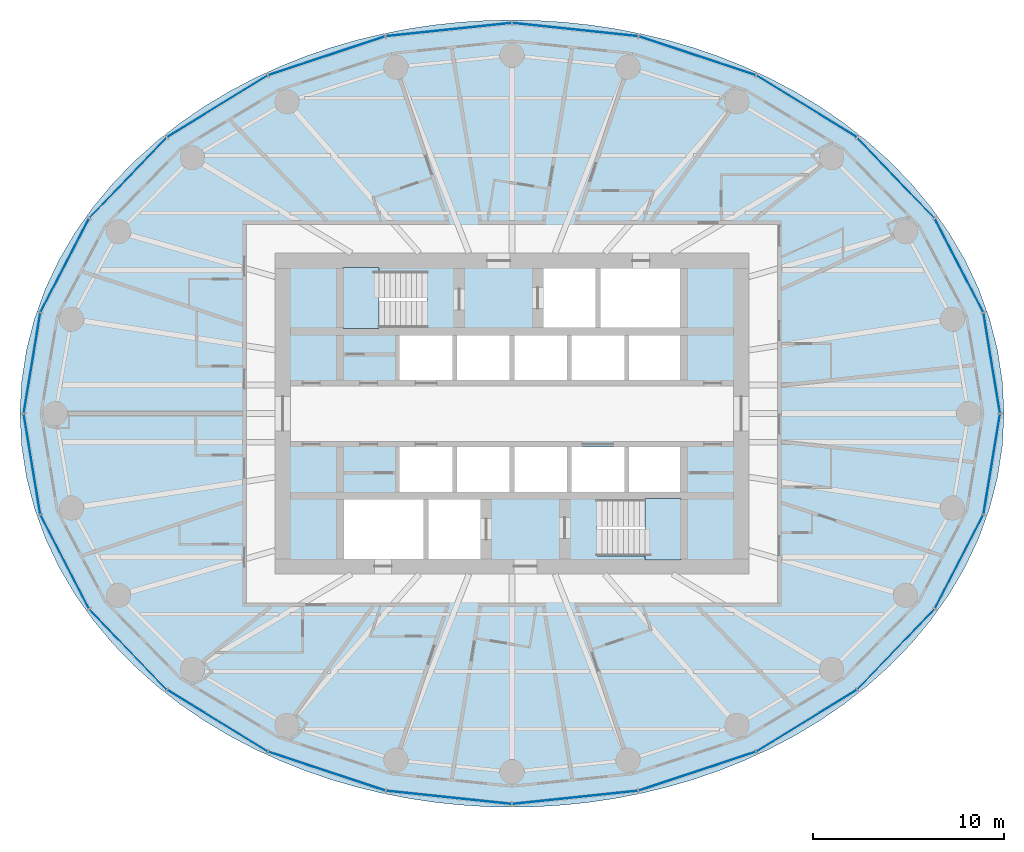
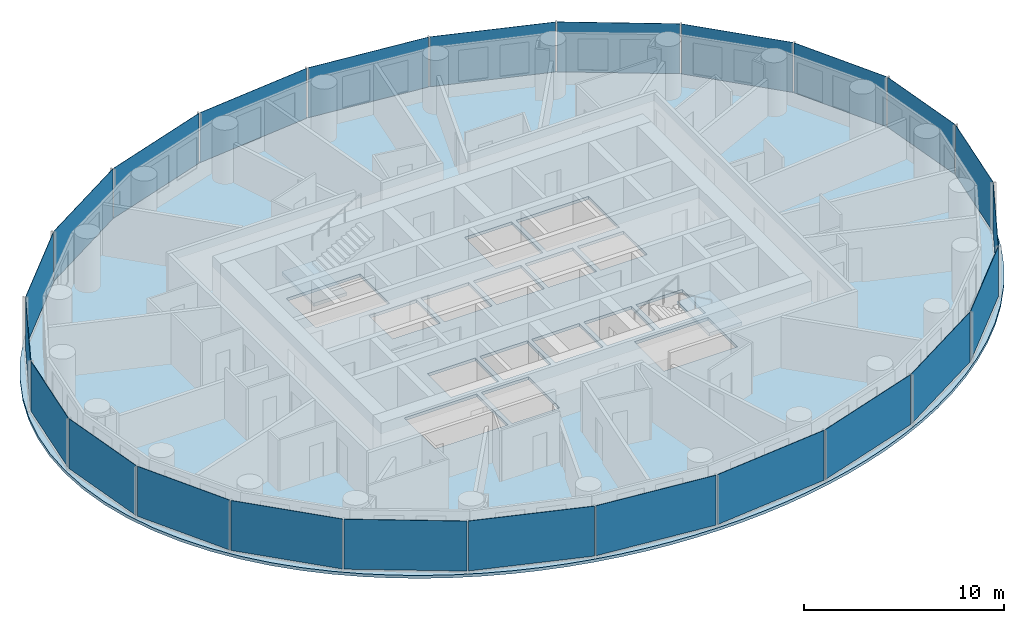
# One storey, part 5 of 13: 24 plates, 3 slabs, 6 elements without a shape of their own.
"""IFC4 building model written with IfcOpenShell, lengths in metres."""

from ifc_helpers import new_model, si_unit, direction, frame, origin, origin_2d, place, context, subcontext, project, spatial, polyline, rectangle, outline, extrude, material, layer, layer_set, type_object, element, aggregate, save


model = new_model("IFC4")

# Units and contexts
model_context = context("Model", 3, precision=1e-05, world=origin(), true_north=direction((0.0, 1.0)))
body_context = subcontext(model_context, "Body", "Model", "MODEL_VIEW")
ifc_project = project(units=[si_unit("LENGTHUNIT", "METRE"), si_unit("AREAUNIT", "SQUARE_METRE"), si_unit("VOLUMEUNIT", "CUBIC_METRE"), si_unit("PLANEANGLEUNIT", "RADIAN"), si_unit("MASSUNIT", "GRAM", prefix="KILO")], contexts=[model_context])

# Site, building, storey
site_placement = place(None, origin())
site = spatial("IfcSite", under=ifc_project, at=site_placement, CompositionType="ELEMENT")
building_placement = place(site_placement, origin())
building = spatial("IfcBuilding", under=site, at=building_placement, Name="Hankou Lantern Tower", CompositionType="ELEMENT")
storey_placement = place(building_placement, frame((0.0, 0.0, 125.39990234375)))
storey = spatial("IfcBuildingStorey", under=building, at=storey_placement, Name="L32", CompositionType="ELEMENT", Elevation=125.39990234375)

# Curtain wall, plates
ifc_material_1 = material(Name="Glass, dark grey tinted laminated", Category="glass")
curtain_wall_type = type_object("IfcCurtainWallType", Name="CWB OUTER SKIN MID-RISE", PredefinedType="USERDEFINED", material=ifc_material_1)
curtain_wall_1_placement = place(storey_placement, origin())
curtain_wall_1 = element("IfcCurtainWall", 1, at=curtain_wall_1_placement, inside=storey, type_object=curtain_wall_type, Name="CWB L32 OS1", ObjectType="OUTER SKIN MID-RISE", PredefinedType="USERDEFINED")
ifc_material_2 = material(Name="Glass, dark grey tinted laminated", Category="glass")
ifc_layer_1 = layer(ifc_material_2, 0.02392578125)
ifc_layer_set_1 = layer_set([ifc_layer_1], Name="Glass, dark grey tinted laminated")
plate_type = type_object("IfcPlateType", Name="PN1 OUTER SKIN GLASS PANEL", PredefinedType="CURTAIN_PANEL", material=ifc_layer_set_1)
plate_1_placement = place(storey_placement, frame((25.11474609375, 2.64501953125, 0.080078125), z_axis=(0.0, 0.0, 1.0), x_axis=(-0.162381515188, 0.986728049427, 0.0)))
plate_1 = element("IfcPlate", 2, at=plate_1_placement, type_object=plate_type, Name="CWB glass panel 1", PredefinedType="CURTAIN_PANEL", context=body_context, shape_type="SweptSolid", body=[
    extrude(rectangle(XDim=5.281494140625, YDim=0.02392578125, at=origin_2d()), origin(), (0.0, 0.0, 1.0), 3.0400390625),
])
plate_2_placement = place(storey_placement, frame((23.403076171875, 7.755126953125, 0.080078125), z_axis=(0.0, 0.0, 1.0), x_axis=(-0.459791091957, 0.888027112062, 0.0)))
plate_2 = element("IfcPlate", 3, at=plate_2_placement, type_object=plate_type, Name="CWB glass panel 2", PredefinedType="CURTAIN_PANEL", context=body_context, shape_type="SweptSolid", body=[
    extrude(rectangle(XDim=5.471435546875, YDim=0.02392578125, at=origin_2d()), origin(), (0.0, 0.0, 1.0), 3.0400390625),
])
plate_3_placement = place(storey_placement, frame((20.0966796875, 12.336669921875, 0.080078125), z_axis=(0.0, 0.0, 1.0), x_axis=(-0.692215809936, 0.721690565599, 0.0)))
plate_3 = element("IfcPlate", 4, at=plate_3_placement, type_object=plate_type, Name="CWB glass panel 3", PredefinedType="CURTAIN_PANEL", context=body_context, shape_type="SweptSolid", body=[
    extrude(rectangle(XDim=5.78564453125, YDim=0.02392578125, at=origin_2d()), origin(), (0.0, 0.0, 1.0), 3.0400390625),
])
plate_4_placement = place(storey_placement, frame((15.4208984375, 16.077392578125, 0.080078125), z_axis=(0.0, 0.0, 1.0), x_axis=(-0.852237151549, 0.523155653242, 0.0)))
plate_4 = element("IfcPlate", 5, at=plate_4_placement, type_object=plate_type, Name="CWB glass panel 4", PredefinedType="CURTAIN_PANEL", context=body_context, shape_type="SweptSolid", body=[
    extrude(rectangle(XDim=6.129150390625, YDim=0.02392578125, at=origin_2d()), origin(), (0.0, 0.0, 1.0), 3.0400390625),
])
plate_5_placement = place(storey_placement, frame((9.69384765625, 18.72265625, 0.080078125), z_axis=(0.0, 0.0, 1.0), x_axis=(-0.949240677293, 0.31455068999, 0.0)))
plate_5 = element("IfcPlate", 6, at=plate_5_placement, type_object=plate_type, Name="CWB glass panel 5", PredefinedType="CURTAIN_PANEL", context=body_context, shape_type="SweptSolid", body=[
    extrude(rectangle(XDim=6.41162109375, YDim=0.02392578125, at=origin_2d()), origin(), (0.0, 0.0, 1.0), 3.0400390625),
])
plate_6_placement = place(storey_placement, frame((3.306396484375, 20.091796875, 0.080078125), z_axis=(0.0, 0.0, 1.0), x_axis=(-0.994499359107, 0.104742659579, 0.0)))
plate_6 = element("IfcPlate", 7, at=plate_6_placement, type_object=plate_type, Name="CWB glass panel 6", PredefinedType="CURTAIN_PANEL", context=body_context, shape_type="SweptSolid", body=[
    extrude(rectangle(XDim=6.5693359375, YDim=0.02392578125, at=origin_2d()), origin(), (0.0, 0.0, 1.0), 3.0400390625),
])
aggregate(curtain_wall_1, [plate_1, plate_2, plate_3, plate_4, plate_5, plate_6])

curtain_wall_2_placement = place(storey_placement, origin())
curtain_wall_2 = element("IfcCurtainWall", 8, at=curtain_wall_2_placement, inside=storey, type_object=curtain_wall_type, Name="CWB L32 OS2", ObjectType="OUTER SKIN MID-RISE", PredefinedType="USERDEFINED")
plate_7_placement = place(storey_placement, frame((-3.306396484375, 20.091796875, 0.080078125), z_axis=(0.0, 0.0, 1.0), x_axis=(-0.994499359107, -0.104742659579, 0.0)))
plate_7 = element("IfcPlate", 9, at=plate_7_placement, type_object=plate_type, Name="CWB glass panel 1", PredefinedType="CURTAIN_PANEL", context=body_context, shape_type="SweptSolid", body=[
    extrude(rectangle(XDim=6.5693359375, YDim=0.02392578125, at=origin_2d()), origin(), (0.0, 0.0, 1.0), 3.0400390625),
])
plate_8_placement = place(storey_placement, frame((-9.69384765625, 18.72265625, 0.080078125), z_axis=(0.0, 0.0, 1.0), x_axis=(-0.949240677293, -0.31455068999, 0.0)))
plate_8 = element("IfcPlate", 10, at=plate_8_placement, type_object=plate_type, Name="CWB glass panel 2", PredefinedType="CURTAIN_PANEL", context=body_context, shape_type="SweptSolid", body=[
    extrude(rectangle(XDim=6.41162109375, YDim=0.02392578125, at=origin_2d()), origin(), (0.0, 0.0, 1.0), 3.0400390625),
])
plate_9_placement = place(storey_placement, frame((-15.4208984375, 16.077392578125, 0.080078125), z_axis=(0.0, 0.0, 1.0), x_axis=(-0.852237151549, -0.523155653242, 0.0)))
plate_9 = element("IfcPlate", 11, at=plate_9_placement, type_object=plate_type, Name="CWB glass panel 3", PredefinedType="CURTAIN_PANEL", context=body_context, shape_type="SweptSolid", body=[
    extrude(rectangle(XDim=6.129150390625, YDim=0.02392578125, at=origin_2d()), origin(), (0.0, 0.0, 1.0), 3.0400390625),
])
plate_10_placement = place(storey_placement, frame((-20.0966796875, 12.336669921875, 0.080078125), z_axis=(0.0, 0.0, 1.0), x_axis=(-0.692215809936, -0.721690565599, 0.0)))
plate_10 = element("IfcPlate", 12, at=plate_10_placement, type_object=plate_type, Name="CWB glass panel 4", PredefinedType="CURTAIN_PANEL", context=body_context, shape_type="SweptSolid", body=[
    extrude(rectangle(XDim=5.78564453125, YDim=0.02392578125, at=origin_2d()), origin(), (0.0, 0.0, 1.0), 3.0400390625),
])
plate_11_placement = place(storey_placement, frame((-23.403076171875, 7.755126953125, 0.080078125), z_axis=(0.0, 0.0, 1.0), x_axis=(-0.459791091957, -0.888027112062, 0.0)))
plate_11 = element("IfcPlate", 13, at=plate_11_placement, type_object=plate_type, Name="CWB glass panel 5", PredefinedType="CURTAIN_PANEL", context=body_context, shape_type="SweptSolid", body=[
    extrude(rectangle(XDim=5.471435546875, YDim=0.02392578125, at=origin_2d()), origin(), (0.0, 0.0, 1.0), 3.0400390625),
])
plate_12_placement = place(storey_placement, frame((-25.11474609375, 2.64501953125, 0.080078125), z_axis=(0.0, 0.0, 1.0), x_axis=(-0.162381515188, -0.986728049427, 0.0)))
plate_12 = element("IfcPlate", 14, at=plate_12_placement, type_object=plate_type, Name="CWB glass panel 6", PredefinedType="CURTAIN_PANEL", context=body_context, shape_type="SweptSolid", body=[
    extrude(rectangle(XDim=5.281494140625, YDim=0.02392578125, at=origin_2d()), origin(), (0.0, 0.0, 1.0), 3.0400390625),
])
aggregate(curtain_wall_2, [plate_7, plate_8, plate_9, plate_10, plate_11, plate_12])

curtain_wall_3_placement = place(storey_placement, origin())
curtain_wall_3 = element("IfcCurtainWall", 15, at=curtain_wall_3_placement, inside=storey, type_object=curtain_wall_type, Name="CWB L32 OS3", ObjectType="OUTER SKIN MID-RISE", PredefinedType="USERDEFINED")
plate_13_placement = place(storey_placement, frame((-25.11474609375, -2.64501953125, 0.080078125), z_axis=(0.0, 0.0, 1.0), x_axis=(0.162381515188, -0.986728049427, 0.0)))
plate_13 = element("IfcPlate", 16, at=plate_13_placement, type_object=plate_type, Name="CWB glass panel 1", PredefinedType="CURTAIN_PANEL", context=body_context, shape_type="SweptSolid", body=[
    extrude(rectangle(XDim=5.281494140625, YDim=0.02392578125, at=origin_2d()), origin(), (0.0, 0.0, 1.0), 3.0400390625),
])
plate_14_placement = place(storey_placement, frame((-23.403076171875, -7.755126953125, 0.080078125), z_axis=(0.0, 0.0, 1.0), x_axis=(0.459791091957, -0.888027112062, 0.0)))
plate_14 = element("IfcPlate", 17, at=plate_14_placement, type_object=plate_type, Name="CWB glass panel 2", PredefinedType="CURTAIN_PANEL", context=body_context, shape_type="SweptSolid", body=[
    extrude(rectangle(XDim=5.471435546875, YDim=0.02392578125, at=origin_2d()), origin(), (0.0, 0.0, 1.0), 3.0400390625),
])
plate_15_placement = place(storey_placement, frame((-20.0966796875, -12.336669921875, 0.080078125), z_axis=(0.0, 0.0, 1.0), x_axis=(0.692215809936, -0.721690565599, 0.0)))
plate_15 = element("IfcPlate", 18, at=plate_15_placement, type_object=plate_type, Name="CWB glass panel 3", PredefinedType="CURTAIN_PANEL", context=body_context, shape_type="SweptSolid", body=[
    extrude(rectangle(XDim=5.78564453125, YDim=0.02392578125, at=origin_2d()), origin(), (0.0, 0.0, 1.0), 3.0400390625),
])
plate_16_placement = place(storey_placement, frame((-15.4208984375, -16.077392578125, 0.080078125), z_axis=(0.0, 0.0, 1.0), x_axis=(0.852237151549, -0.523155653242, 0.0)))
plate_16 = element("IfcPlate", 19, at=plate_16_placement, type_object=plate_type, Name="CWB glass panel 4", PredefinedType="CURTAIN_PANEL", context=body_context, shape_type="SweptSolid", body=[
    extrude(rectangle(XDim=6.129150390625, YDim=0.02392578125, at=origin_2d()), origin(), (0.0, 0.0, 1.0), 3.0400390625),
])
plate_17_placement = place(storey_placement, frame((-9.69384765625, -18.72265625, 0.080078125), z_axis=(0.0, 0.0, 1.0), x_axis=(0.949240677293, -0.31455068999, 0.0)))
plate_17 = element("IfcPlate", 20, at=plate_17_placement, type_object=plate_type, Name="CWB glass panel 5", PredefinedType="CURTAIN_PANEL", context=body_context, shape_type="SweptSolid", body=[
    extrude(rectangle(XDim=6.41162109375, YDim=0.02392578125, at=origin_2d()), origin(), (0.0, 0.0, 1.0), 3.0400390625),
])
plate_18_placement = place(storey_placement, frame((-3.306396484375, -20.091796875, 0.080078125), z_axis=(0.0, 0.0, 1.0), x_axis=(0.994499359107, -0.104742659579, 0.0)))
plate_18 = element("IfcPlate", 21, at=plate_18_placement, type_object=plate_type, Name="CWB glass panel 6", PredefinedType="CURTAIN_PANEL", context=body_context, shape_type="SweptSolid", body=[
    extrude(rectangle(XDim=6.5693359375, YDim=0.02392578125, at=origin_2d()), origin(), (0.0, 0.0, 1.0), 3.0400390625),
])
aggregate(curtain_wall_3, [plate_13, plate_14, plate_15, plate_16, plate_17, plate_18])

curtain_wall_4_placement = place(storey_placement, origin())
curtain_wall_4 = element("IfcCurtainWall", 22, at=curtain_wall_4_placement, inside=storey, type_object=curtain_wall_type, Name="CWB L32 OS4", ObjectType="OUTER SKIN MID-RISE", PredefinedType="USERDEFINED")
plate_19_placement = place(storey_placement, frame((3.306396484375, -20.091796875, 0.080078125), z_axis=(0.0, 0.0, 1.0), x_axis=(0.994499359107, 0.104742659579, 0.0)))
plate_19 = element("IfcPlate", 23, at=plate_19_placement, type_object=plate_type, Name="CWB glass panel 1", PredefinedType="CURTAIN_PANEL", context=body_context, shape_type="SweptSolid", body=[
    extrude(rectangle(XDim=6.5693359375, YDim=0.02392578125, at=origin_2d()), origin(), (0.0, 0.0, 1.0), 3.0400390625),
])
plate_20_placement = place(storey_placement, frame((9.69384765625, -18.72265625, 0.080078125), z_axis=(0.0, 0.0, 1.0), x_axis=(0.949240677293, 0.31455068999, 0.0)))
plate_20 = element("IfcPlate", 24, at=plate_20_placement, type_object=plate_type, Name="CWB glass panel 2", PredefinedType="CURTAIN_PANEL", context=body_context, shape_type="SweptSolid", body=[
    extrude(rectangle(XDim=6.41162109375, YDim=0.02392578125, at=origin_2d()), origin(), (0.0, 0.0, 1.0), 3.0400390625),
])
plate_21_placement = place(storey_placement, frame((15.4208984375, -16.077392578125, 0.080078125), z_axis=(0.0, 0.0, 1.0), x_axis=(0.852237151549, 0.523155653242, 0.0)))
plate_21 = element("IfcPlate", 25, at=plate_21_placement, type_object=plate_type, Name="CWB glass panel 3", PredefinedType="CURTAIN_PANEL", context=body_context, shape_type="SweptSolid", body=[
    extrude(rectangle(XDim=6.129150390625, YDim=0.02392578125, at=origin_2d()), origin(), (0.0, 0.0, 1.0), 3.0400390625),
])
plate_22_placement = place(storey_placement, frame((20.0966796875, -12.336669921875, 0.080078125), z_axis=(0.0, 0.0, 1.0), x_axis=(0.692215809936, 0.721690565599, 0.0)))
plate_22 = element("IfcPlate", 26, at=plate_22_placement, type_object=plate_type, Name="CWB glass panel 4", PredefinedType="CURTAIN_PANEL", context=body_context, shape_type="SweptSolid", body=[
    extrude(rectangle(XDim=5.78564453125, YDim=0.02392578125, at=origin_2d()), origin(), (0.0, 0.0, 1.0), 3.0400390625),
])
plate_23_placement = place(storey_placement, frame((23.403076171875, -7.755126953125, 0.080078125), z_axis=(0.0, 0.0, 1.0), x_axis=(0.459791091957, 0.888027112062, 0.0)))
plate_23 = element("IfcPlate", 27, at=plate_23_placement, type_object=plate_type, Name="CWB glass panel 5", PredefinedType="CURTAIN_PANEL", context=body_context, shape_type="SweptSolid", body=[
    extrude(rectangle(XDim=5.471435546875, YDim=0.02392578125, at=origin_2d()), origin(), (0.0, 0.0, 1.0), 3.0400390625),
])
plate_24_placement = place(storey_placement, frame((25.11474609375, -2.64501953125, 0.080078125), z_axis=(0.0, 0.0, 1.0), x_axis=(0.162381515188, 0.986728049427, 0.0)))
plate_24 = element("IfcPlate", 28, at=plate_24_placement, type_object=plate_type, Name="CWB glass panel 6", PredefinedType="CURTAIN_PANEL", context=body_context, shape_type="SweptSolid", body=[
    extrude(rectangle(XDim=5.281494140625, YDim=0.02392578125, at=origin_2d()), origin(), (0.0, 0.0, 1.0), 3.0400390625),
])
aggregate(curtain_wall_4, [plate_19, plate_20, plate_21, plate_22, plate_23, plate_24])

# Slab
ifc_material_3 = material(Name="Concrete C50", Category="concrete")
ifc_layer_2 = layer(ifc_material_3, 0.179931640625)
ifc_layer_set_2 = layer_set([ifc_layer_2], Name="Concrete C50")
slab_type_1 = type_object("IfcSlabType", Name="S1 CONCRETE FLOOR SLAB 180", PredefinedType="FLOOR", material=ifc_layer_set_2)
slab_1_placement = place(storey_placement, frame((0.0, 0.0, -0.179931640625)))
element("IfcSlab", 29, at=slab_1_placement, inside=storey, type_object=slab_type_1, Name="Floor slab L32", PredefinedType="FLOOR", context=body_context, shape_type="SweptSolid", body=[
    extrude(outline(polyline([(25.75, 0.0), (25.6640625, 1.68212890625), (25.408203125, 3.344970703125), (24.9892578125, 4.970703125), (24.416748046875, 6.54248046875), (23.704345703125, 8.046630859375), (22.86669921875, 9.4716796875), (21.919921875, 10.809814453125), (20.88037109375, 12.05517578125), (19.763427734375, 13.205322265625), (18.58349609375, 14.259765625), (17.35400390625, 15.218994140625), (16.0859375, 16.0859375), (14.7890625, 16.863525390625), (13.47119140625, 17.55615234375), (12.138916015625, 18.167236328125), (10.79736328125, 18.701416015625), (9.449951171875, 19.16259765625), (8.099609375, 19.554443359375), (6.748291015625, 19.8798828125), (5.397216796875, 20.142333984375), (4.046630859375, 20.343994140625), (2.697021484375, 20.486572265625), (1.348388671875, 20.57177734375), (0.0, 20.60009765625), (-1.348388671875, 20.57177734375), (-2.697021484375, 20.486572265625), (-4.046630859375, 20.343994140625), (-5.397216796875, 20.142333984375), (-6.748291015625, 19.8798828125), (-8.099609375, 19.554443359375), (-9.449951171875, 19.16259765625), (-10.79736328125, 18.701416015625), (-12.138916015625, 18.167236328125), (-13.47119140625, 17.55615234375), (-14.7890625, 16.863525390625), (-16.0859375, 16.0859375), (-17.35400390625, 15.218994140625), (-18.58349609375, 14.259765625), (-19.763427734375, 13.205322265625), (-20.88037109375, 12.05517578125), (-21.919921875, 10.809814453125), (-22.86669921875, 9.4716796875), (-23.704345703125, 8.046630859375), (-24.416748046875, 6.54248046875), (-24.9892578125, 4.970703125), (-25.408203125, 3.344970703125), (-25.6640625, 1.68212890625), (-25.75, 0.0), (-25.6640625, -1.68212890625), (-25.408203125, -3.344970703125), (-24.9892578125, -4.970703125), (-24.416748046875, -6.54248046875), (-23.704345703125, -8.046630859375), (-22.86669921875, -9.4716796875), (-21.919921875, -10.809814453125), (-20.88037109375, -12.05517578125), (-19.763427734375, -13.205322265625), (-18.58349609375, -14.259765625), (-17.35400390625, -15.218994140625), (-16.0859375, -16.0859375), (-14.7890625, -16.863525390625), (-13.47119140625, -17.55615234375), (-12.138916015625, -18.167236328125), (-10.79736328125, -18.701416015625), (-9.449951171875, -19.16259765625), (-8.099609375, -19.554443359375), (-6.748291015625, -19.8798828125), (-5.397216796875, -20.142333984375), (-4.046630859375, -20.343994140625), (-2.697021484375, -20.486572265625), (-1.348388671875, -20.57177734375), (0.0, -20.60009765625), (1.348388671875, -20.57177734375), (2.697021484375, -20.486572265625), (4.046630859375, -20.343994140625), (5.397216796875, -20.142333984375), (6.748291015625, -19.8798828125), (8.099609375, -19.554443359375), (9.449951171875, -19.16259765625), (10.79736328125, -18.701416015625), (12.138916015625, -18.167236328125), (13.47119140625, -17.55615234375), (14.7890625, -16.863525390625), (16.0859375, -16.0859375), (17.35400390625, -15.218994140625), (18.58349609375, -14.259765625), (19.763427734375, -13.205322265625), (20.88037109375, -12.05517578125), (21.919921875, -10.809814453125), (22.86669921875, -9.4716796875), (23.704345703125, -8.046630859375), (24.416748046875, -6.54248046875), (24.9892578125, -4.970703125), (25.408203125, -3.344970703125), (25.6640625, -1.68212890625), (25.75, 0.0)]), holes=[polyline([(-5.875, 4.10009765625), (-3.125, 4.10009765625), (-3.125, 1.75), (-5.875, 1.75), (-5.875, 4.10009765625)]), polyline([(-2.875, 4.10009765625), (-0.125, 4.10009765625), (-0.125, 1.75), (-2.875, 1.75), (-2.875, 4.10009765625)]), polyline([(0.125, 4.10009765625), (2.875, 4.10009765625), (2.875, 1.75), (0.125, 1.75), (0.125, 4.10009765625)]), polyline([(3.125, 4.10009765625), (5.875, 4.10009765625), (5.875, 1.75), (3.125, 1.75), (3.125, 4.10009765625)]), polyline([(6.125, 4.10009765625), (8.800048828125, 4.10009765625), (8.800048828125, 1.75), (6.125, 1.75), (6.125, 4.10009765625)]), polyline([(-5.875, -1.75), (-3.125, -1.75), (-3.125, -4.10009765625), (-5.875, -4.10009765625), (-5.875, -1.75)]), polyline([(-2.875, -1.75), (-0.125, -1.75), (-0.125, -4.10009765625), (-2.875, -4.10009765625), (-2.875, -1.75)]), polyline([(0.125, -1.75), (2.875, -1.75), (2.875, -4.10009765625), (0.125, -4.10009765625), (0.125, -1.75)]), polyline([(3.125, -1.75), (5.875, -1.75), (5.875, -4.10009765625), (3.125, -4.10009765625), (3.125, -1.75)]), polyline([(6.125, -1.75), (8.800048828125, -1.75), (8.800048828125, -4.10009765625), (6.125, -4.10009765625), (6.125, -1.75)]), polyline([(1.64990234375, 7.60009765625), (4.375, 7.60009765625), (4.375, 4.5), (1.64990234375, 4.5), (1.64990234375, 7.60009765625)]), polyline([(-4.375, -4.5), (-1.64990234375, -4.5), (-1.64990234375, -7.60009765625), (-4.375, -7.60009765625), (-4.375, -4.5)]), polyline([(-8.699951171875, 7.449951171875), (-4.449951171875, 7.449951171875), (-4.449951171875, 4.5), (-8.699951171875, 4.5), (-8.699951171875, 7.449951171875)]), polyline([(4.449951171875, -4.5), (8.699951171875, -4.5), (8.699951171875, -7.449951171875), (4.449951171875, -7.449951171875), (4.449951171875, -4.5)]), polyline([(4.625, 7.60009765625), (8.800048828125, 7.60009765625), (8.800048828125, 4.5), (4.625, 4.5), (4.625, 7.60009765625)]), polyline([(-8.800048828125, -4.5), (-4.625, -4.5), (-4.625, -7.60009765625), (-8.800048828125, -7.60009765625), (-8.800048828125, -4.5)])]), origin(), (0.0, 0.0, 1.0), 0.179931640625),
])

# Stair, slab
ifc_material_4 = material(Name="Concrete C40", Category="concrete")
stair_type = type_object("IfcStairType", Name="ST33 CORE STAIR 3300 RISE", PredefinedType="HALF_TURN_STAIR", material=ifc_material_4)
stair_1_placement = place(storey_placement, origin())
stair_1 = element("IfcStair", 30, at=stair_1_placement, inside=storey, type_object=stair_type, Name="Stair STA L32", PredefinedType="HALF_TURN_STAIR")
ifc_material_5 = material(Name="Concrete C40", Category="concrete")
ifc_layer_3 = layer(ifc_material_5, 0.199951171875)
ifc_layer_set_3 = layer_set([ifc_layer_3], Name="Concrete C40")
slab_type_2 = type_object("IfcSlabType", Name="SL1 STAIR LANDING 200", PredefinedType="LANDING", material=ifc_layer_set_3)
slab_2_placement = place(storey_placement, frame((0.0, 0.0, 1.37158203125)))
slab_2 = element("IfcSlab", 31, at=slab_2_placement, type_object=slab_type_2, Name="STA landing 1", PredefinedType="LANDING", context=body_context, shape_type="SweptSolid", body=[
    extrude(outline(polyline([(-8.85009765625, 4.449951171875), (-6.949951171875, 4.449951171875), (-6.949951171875, 7.64990234375), (-8.85009765625, 7.64990234375), (-8.85009765625, 4.449951171875)])), origin(), (0.0, 0.0, 1.0), 0.199951171875),
])
aggregate(stair_1, [slab_2])

stair_2_placement = place(storey_placement, origin())
stair_2 = element("IfcStair", 32, at=stair_2_placement, inside=storey, type_object=stair_type, Name="Stair STB L32", PredefinedType="HALF_TURN_STAIR")
slab_3_placement = place(storey_placement, frame((0.0, 0.0, 1.37158203125)))
slab_3 = element("IfcSlab", 33, at=slab_3_placement, type_object=slab_type_2, Name="STB landing 1", PredefinedType="LANDING", context=body_context, shape_type="SweptSolid", body=[
    extrude(outline(polyline([(8.85009765625, -4.449951171875), (6.949951171875, -4.449951171875), (6.949951171875, -7.64990234375), (8.85009765625, -7.64990234375), (8.85009765625, -4.449951171875)])), origin(), (0.0, 0.0, 1.0), 0.199951171875),
])
aggregate(stair_2, [slab_3])

save(model, "model.ifc")
